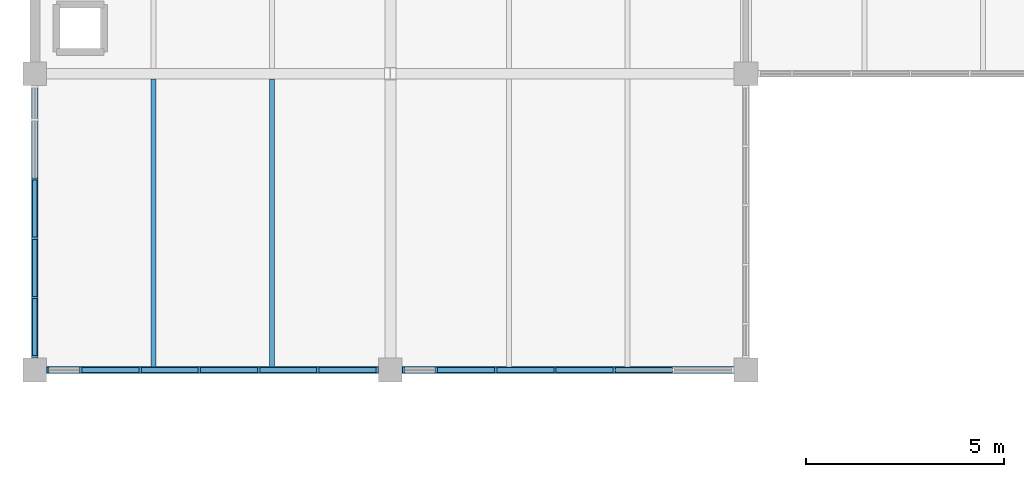
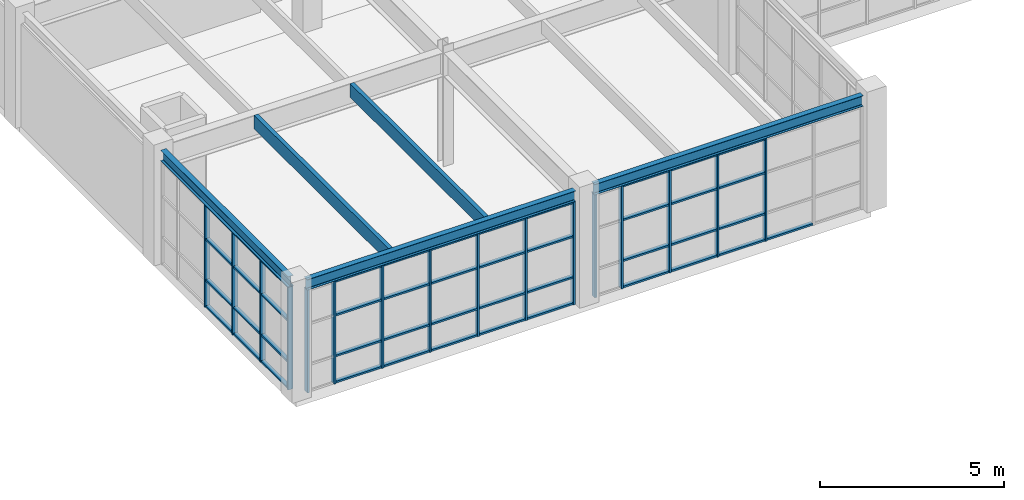
# One storey, part 26 of 76: 61 members, 5 beams, 3 elements without a shape of their own.
"""IFC4 building model written with IfcOpenShell, lengths in metres."""

from ifc_helpers import new_model, si_unit, direction, frame, origin, origin_2d, place, context, subcontext, project, spatial, rectangle, i_section, extrude, material, layer, layer_set, material_profile, profile_set, type_object, element, aggregate, save


model = new_model("IFC4")

# Units and contexts
model_context = context("Model", 3, precision=1e-05, world=origin(), true_north=direction((0.0, 1.0)))
body_context = subcontext(model_context, "Body", "Model", "MODEL_VIEW")
ifc_project = project(units=[si_unit("LENGTHUNIT", "METRE"), si_unit("AREAUNIT", "SQUARE_METRE"), si_unit("VOLUMEUNIT", "CUBIC_METRE"), si_unit("PLANEANGLEUNIT", "RADIAN"), si_unit("MASSUNIT", "GRAM", prefix="KILO")], contexts=[model_context])

# Site, building, storey
site_placement = place(None, origin())
site = spatial("IfcSite", under=ifc_project, at=site_placement, CompositionType="ELEMENT")
building_placement = place(site_placement, origin())
building = spatial("IfcBuilding", under=site, at=building_placement, Name="Marnridge Secondary College", CompositionType="ELEMENT")
storey_placement = place(building_placement, frame((0.0, 0.0, 4.5)))
storey = spatial("IfcBuildingStorey", under=building, at=storey_placement, Name="L01", CompositionType="ELEMENT", Elevation=4.5)

# Beams
ifc_material_1 = material(Name="Engineered timber LVL E13.2", Category="wood")
ifc_material_profile_1 = material_profile(ifc_material_1, rectangle(XDim=0.1259765625, YDim=0.449951171875, at=origin_2d()), Name="LVL 126x450")
ifc_profile_set_1 = profile_set([ifc_material_profile_1], Name="Engineered timber LVL E13.2")
beam_type_1 = type_object("IfcBeamType", Name="BM-LVL450-INT", PredefinedType="JOIST", material=ifc_profile_set_1)
for number, where, z_axis, x_axis, name in (
    (1, (3.0, 75.07958984375, 3.534912109375), (0.0, 1.0, 0.0), (-1.0, 0.0, 0.0), "Beam BJ-L01-0651"),
    (2, (6.0, 75.07958984375, 3.534912109375), (0.0, 1.0, 0.0), (-1.0, 0.0, 0.0), "Beam BJ-L01-0652"),
):
    element("IfcBeam", number, at=place(storey_placement, frame(where, z_axis=z_axis, x_axis=x_axis)), inside=storey, type_object=beam_type_1, Name=name, PredefinedType="JOIST", context=body_context, shape_type="SweptSolid", body=[
        extrude(rectangle(XDim=0.1259765625, YDim=0.449951171875, at=origin_2d()), origin(), (0.0, 0.0, 1.0), 7.288818359375),
    ])
ifc_material_2 = material(Name="Structural steel Grade 350 (AS/NZS 3679.1/.2, fy = 340-360 MPa)", Category="steel")
ifc_material_profile_2 = material_profile(ifc_material_2, i_section(OverallWidth=0.1708984375, OverallDepth=0.35205078125, WebThickness=0.0068359375, FlangeThickness=0.009765625, FilletRadius=0.011474609375, at=origin_2d()), Name="360UB44.7")
ifc_profile_set_2 = profile_set([ifc_material_profile_2], Name="Structural steel Grade 350 (AS/NZS 3679.1/.2, fy = 340-360 MPa)")
beam_type_2 = type_object("IfcBeamType", Name="BM-UB360-EXT", PredefinedType="SPANDREL", material=ifc_profile_set_2)
beam_1_placement = place(storey_placement, frame((0.2939453125, 75.0, 3.583984375), z_axis=(1.0, 0.0, 0.0), x_axis=(0.0, 1.0, 0.0)))
element("IfcBeam", 3, at=beam_1_placement, inside=storey, type_object=beam_type_2, Name="Beam BS-L01-0611", PredefinedType="SPANDREL", context=body_context, shape_type="SweptSolid", body=[
    extrude(i_section(OverallWidth=0.1708984375, OverallDepth=0.35205078125, WebThickness=0.0068359375, FlangeThickness=0.009765625, FilletRadius=0.011474609375, at=origin_2d()), origin(), (0.0, 0.0, 1.0), 8.412109375),
])
beam_2_placement = place(storey_placement, frame((0.0, 75.2939453125, 3.583984375), z_axis=(0.0, 1.0, 0.0), x_axis=(-1.0, 0.0, 0.0)))
element("IfcBeam", 4, at=beam_2_placement, inside=storey, type_object=beam_type_2, Name="Beam BS-L01-0612", PredefinedType="SPANDREL", context=body_context, shape_type="SweptSolid", body=[
    extrude(i_section(OverallWidth=0.1708984375, OverallDepth=0.35205078125, WebThickness=0.0068359375, FlangeThickness=0.009765625, FilletRadius=0.011474609375, at=origin_2d()), origin(), (0.0, 0.0, 1.0), 6.912109375),
])
beam_3_placement = place(storey_placement, frame((9.2939453125, 75.0, 3.583984375), z_axis=(1.0, 0.0, 0.0), x_axis=(0.0, 1.0, 0.0)))
element("IfcBeam", 5, at=beam_3_placement, inside=storey, type_object=beam_type_2, Name="Beam BS-L01-0614", PredefinedType="SPANDREL", context=body_context, shape_type="SweptSolid", body=[
    extrude(i_section(OverallWidth=0.1708984375, OverallDepth=0.35205078125, WebThickness=0.0068359375, FlangeThickness=0.009765625, FilletRadius=0.011474609375, at=origin_2d()), origin(), (0.0, 0.0, 1.0), 8.412109375),
])

# Curtain wall, members
ifc_material_3 = material(Name="Thermally broken aluminium and low-E glazing", Category="aluminium")
ifc_layer = layer(ifc_material_3, 0.159912109375)
ifc_layer_set = layer_set([ifc_layer], Name="CW-MOD-1500")
curtain_wall_type = type_object("IfcCurtainWallType", Name="CW-MOD-1500", PredefinedType="NOTDEFINED", material=ifc_layer_set)
curtain_wall_1_placement = place(storey_placement, origin())
curtain_wall_1 = element("IfcCurtainWall", 6, at=curtain_wall_1_placement, inside=storey, type_object=curtain_wall_type, Name="Unitised curtain wall CW-L01-054", PredefinedType="NOTDEFINED")
ifc_material_4 = material(Name="Anodised aluminium 6063-T6", Category="aluminium")
ifc_material_profile_3 = material_profile(ifc_material_4, rectangle(XDim=0.06005859375, YDim=0.159912109375, at=origin_2d()), Name="ALU 60x160")
ifc_profile_set_3 = profile_set([ifc_material_profile_3], Name="Anodised aluminium 6063-T6")
member_type_1 = type_object("IfcMemberType", Name="CWM-ALU160", PredefinedType="MULLION", material=ifc_profile_set_3)
member_1_placement = place(storey_placement, frame((14.666015625, 75.0, 0.0), z_axis=(0.0, 0.0, 1.0), x_axis=(-1.0, 0.0, 0.0)))
member_1 = element("IfcMember", 7, at=member_1_placement, type_object=member_type_1, Name="CW-L01-054 mullion 3", PredefinedType="MULLION", context=body_context, shape_type="SweptSolid", body=[
    extrude(rectangle(XDim=0.06005859375, YDim=0.159912109375, at=origin_2d()), origin(), (0.0, 0.0, 1.0), 3.39990234375),
])
member_2_placement = place(storey_placement, frame((13.166015625, 75.0, 0.0), z_axis=(0.0, 0.0, 1.0), x_axis=(-1.0, 0.0, 0.0)))
member_2 = element("IfcMember", 8, at=member_2_placement, type_object=member_type_1, Name="CW-L01-054 mullion 4", PredefinedType="MULLION", context=body_context, shape_type="SweptSolid", body=[
    extrude(rectangle(XDim=0.06005859375, YDim=0.159912109375, at=origin_2d()), origin(), (0.0, 0.0, 1.0), 3.39990234375),
])
member_3_placement = place(storey_placement, frame((11.666015625, 75.0, 0.0), z_axis=(0.0, 0.0, 1.0), x_axis=(-1.0, 0.0, 0.0)))
member_3 = element("IfcMember", 9, at=member_3_placement, type_object=member_type_1, Name="CW-L01-054 mullion 5", PredefinedType="MULLION", context=body_context, shape_type="SweptSolid", body=[
    extrude(rectangle(XDim=0.06005859375, YDim=0.159912109375, at=origin_2d()), origin(), (0.0, 0.0, 1.0), 3.39990234375),
])
member_4_placement = place(storey_placement, frame((10.166015625, 75.0, 0.0), z_axis=(0.0, 0.0, 1.0), x_axis=(-1.0, 0.0, 0.0)))
member_4 = element("IfcMember", 10, at=member_4_placement, type_object=member_type_1, Name="CW-L01-054 mullion 6", PredefinedType="MULLION", context=body_context, shape_type="SweptSolid", body=[
    extrude(rectangle(XDim=0.06005859375, YDim=0.159912109375, at=origin_2d()), origin(), (0.0, 0.0, 1.0), 3.39990234375),
])
member_5_placement = place(storey_placement, frame((9.333984375, 75.0, 0.0), z_axis=(0.0, 0.0, 1.0), x_axis=(-1.0, 0.0, 0.0)))
member_5 = element("IfcMember", 11, at=member_5_placement, type_object=member_type_1, Name="CW-L01-054 mullion 7", PredefinedType="MULLION", context=body_context, shape_type="SweptSolid", body=[
    extrude(rectangle(XDim=0.06005859375, YDim=0.159912109375, at=origin_2d()), origin(), (0.0, 0.0, 1.0), 3.39990234375),
])

curtain_wall_2_placement = place(storey_placement, origin())
curtain_wall_2 = element("IfcCurtainWall", 12, at=curtain_wall_2_placement, inside=storey, type_object=curtain_wall_type, Name="Unitised curtain wall CW-L01-055", PredefinedType="NOTDEFINED")
member_6_placement = place(storey_placement, frame((8.666015625, 75.0, 0.0), z_axis=(0.0, 0.0, 1.0), x_axis=(-1.0, 0.0, 0.0)))
member_6 = element("IfcMember", 13, at=member_6_placement, type_object=member_type_1, Name="CW-L01-055 mullion 1", PredefinedType="MULLION", context=body_context, shape_type="SweptSolid", body=[
    extrude(rectangle(XDim=0.06005859375, YDim=0.159912109375, at=origin_2d()), origin(), (0.0, 0.0, 1.0), 3.39990234375),
])
member_7_placement = place(storey_placement, frame((7.166015625, 75.0, 0.0), z_axis=(0.0, 0.0, 1.0), x_axis=(-1.0, 0.0, 0.0)))
member_7 = element("IfcMember", 14, at=member_7_placement, type_object=member_type_1, Name="CW-L01-055 mullion 2", PredefinedType="MULLION", context=body_context, shape_type="SweptSolid", body=[
    extrude(rectangle(XDim=0.06005859375, YDim=0.159912109375, at=origin_2d()), origin(), (0.0, 0.0, 1.0), 3.39990234375),
])
member_8_placement = place(storey_placement, frame((5.666015625, 75.0, 0.0), z_axis=(0.0, 0.0, 1.0), x_axis=(-1.0, 0.0, 0.0)))
member_8 = element("IfcMember", 15, at=member_8_placement, type_object=member_type_1, Name="CW-L01-055 mullion 3", PredefinedType="MULLION", context=body_context, shape_type="SweptSolid", body=[
    extrude(rectangle(XDim=0.06005859375, YDim=0.159912109375, at=origin_2d()), origin(), (0.0, 0.0, 1.0), 3.39990234375),
])
member_9_placement = place(storey_placement, frame((4.166015625, 75.0, 0.0), z_axis=(0.0, 0.0, 1.0), x_axis=(-1.0, 0.0, 0.0)))
member_9 = element("IfcMember", 16, at=member_9_placement, type_object=member_type_1, Name="CW-L01-055 mullion 4", PredefinedType="MULLION", context=body_context, shape_type="SweptSolid", body=[
    extrude(rectangle(XDim=0.06005859375, YDim=0.159912109375, at=origin_2d()), origin(), (0.0, 0.0, 1.0), 3.39990234375),
])
member_10_placement = place(storey_placement, frame((2.666015625, 75.0, 0.0), z_axis=(0.0, 0.0, 1.0), x_axis=(-1.0, 0.0, 0.0)))
member_10 = element("IfcMember", 17, at=member_10_placement, type_object=member_type_1, Name="CW-L01-055 mullion 5", PredefinedType="MULLION", context=body_context, shape_type="SweptSolid", body=[
    extrude(rectangle(XDim=0.06005859375, YDim=0.159912109375, at=origin_2d()), origin(), (0.0, 0.0, 1.0), 3.39990234375),
])
member_11_placement = place(storey_placement, frame((1.166015625, 75.0, 0.0), z_axis=(0.0, 0.0, 1.0), x_axis=(-1.0, 0.0, 0.0)))
member_11 = element("IfcMember", 18, at=member_11_placement, type_object=member_type_1, Name="CW-L01-055 mullion 6", PredefinedType="MULLION", context=body_context, shape_type="SweptSolid", body=[
    extrude(rectangle(XDim=0.06005859375, YDim=0.159912109375, at=origin_2d()), origin(), (0.0, 0.0, 1.0), 3.39990234375),
])
member_12_placement = place(storey_placement, frame((0.333984375, 75.0, 0.0), z_axis=(0.0, 0.0, 1.0), x_axis=(-1.0, 0.0, 0.0)))
member_12 = element("IfcMember", 19, at=member_12_placement, type_object=member_type_1, Name="CW-L01-055 mullion 7", PredefinedType="MULLION", context=body_context, shape_type="SweptSolid", body=[
    extrude(rectangle(XDim=0.06005859375, YDim=0.159912109375, at=origin_2d()), origin(), (0.0, 0.0, 1.0), 3.39990234375),
])

curtain_wall_3_placement = place(storey_placement, origin())
curtain_wall_3 = element("IfcCurtainWall", 20, at=curtain_wall_3_placement, inside=storey, type_object=curtain_wall_type, Name="Unitised curtain wall CW-L01-056", PredefinedType="NOTDEFINED")
member_13_placement = place(storey_placement, frame((0.0, 75.333984375, 0.0), z_axis=(0.0, 0.0, 1.0), x_axis=(0.0, 1.0, 0.0)))
member_13 = element("IfcMember", 21, at=member_13_placement, type_object=member_type_1, Name="CW-L01-056 mullion 1", PredefinedType="MULLION", context=body_context, shape_type="SweptSolid", body=[
    extrude(rectangle(XDim=0.06005859375, YDim=0.159912109375, at=origin_2d()), origin(), (0.0, 0.0, 1.0), 3.39990234375),
])
member_14_placement = place(storey_placement, frame((0.0, 76.833984375, 0.0), z_axis=(0.0, 0.0, 1.0), x_axis=(0.0, 1.0, 0.0)))
member_14 = element("IfcMember", 22, at=member_14_placement, type_object=member_type_1, Name="CW-L01-056 mullion 2", PredefinedType="MULLION", context=body_context, shape_type="SweptSolid", body=[
    extrude(rectangle(XDim=0.06005859375, YDim=0.159912109375, at=origin_2d()), origin(), (0.0, 0.0, 1.0), 3.39990234375),
])
member_15_placement = place(storey_placement, frame((0.0, 78.333984375, 0.0), z_axis=(0.0, 0.0, 1.0), x_axis=(0.0, 1.0, 0.0)))
member_15 = element("IfcMember", 23, at=member_15_placement, type_object=member_type_1, Name="CW-L01-056 mullion 3", PredefinedType="MULLION", context=body_context, shape_type="SweptSolid", body=[
    extrude(rectangle(XDim=0.06005859375, YDim=0.159912109375, at=origin_2d()), origin(), (0.0, 0.0, 1.0), 3.39990234375),
])
member_16_placement = place(storey_placement, frame((0.0, 79.833984375, 0.0), z_axis=(0.0, 0.0, 1.0), x_axis=(0.0, 1.0, 0.0)))
member_16 = element("IfcMember", 24, at=member_16_placement, type_object=member_type_1, Name="CW-L01-056 mullion 4", PredefinedType="MULLION", context=body_context, shape_type="SweptSolid", body=[
    extrude(rectangle(XDim=0.06005859375, YDim=0.159912109375, at=origin_2d()), origin(), (0.0, 0.0, 1.0), 3.39990234375),
])

# Member
ifc_material_5 = material(Name="Anodised aluminium 6063-T6", Category="aluminium")
ifc_material_profile_4 = material_profile(ifc_material_5, rectangle(XDim=0.06005859375, YDim=0.1201171875, at=origin_2d()), Name="ALU 60x120")
ifc_profile_set_4 = profile_set([ifc_material_profile_4], Name="Anodised aluminium 6063-T6")
member_type_2 = type_object("IfcMemberType", Name="CWT-ALU120", PredefinedType="USERDEFINED", material=ifc_profile_set_4)
member_17_placement = place(storey_placement, frame((16.135986328125, 75.0, 0.030029296875), z_axis=(-1.0, 0.0, 0.0), x_axis=(0.0, 0.0, 1.0)))
member_17 = element("IfcMember", 25, at=member_17_placement, type_object=member_type_2, Name="CW-L01-054 transom 2.1", ObjectType="TRANSOM", PredefinedType="USERDEFINED", context=body_context, shape_type="SweptSolid", body=[
    extrude(rectangle(XDim=0.06005859375, YDim=0.1201171875, at=origin_2d()), origin(), (0.0, 0.0, 1.0), 1.43994140625),
])

member_18_placement = place(storey_placement, frame((14.635986328125, 75.0, 0.030029296875), z_axis=(-1.0, 0.0, 0.0), x_axis=(0.0, 0.0, 1.0)))
member_18 = element("IfcMember", 26, at=member_18_placement, type_object=member_type_2, Name="CW-L01-054 transom 3.1", ObjectType="TRANSOM", PredefinedType="USERDEFINED", context=body_context, shape_type="SweptSolid", body=[
    extrude(rectangle(XDim=0.06005859375, YDim=0.1201171875, at=origin_2d()), origin(), (0.0, 0.0, 1.0), 1.43994140625),
])

member_19_placement = place(storey_placement, frame((14.635986328125, 75.0, 0.89990234375), z_axis=(-1.0, 0.0, 0.0), x_axis=(0.0, 0.0, 1.0)))
member_19 = element("IfcMember", 27, at=member_19_placement, type_object=member_type_2, Name="CW-L01-054 transom 3.2", ObjectType="TRANSOM", PredefinedType="USERDEFINED", context=body_context, shape_type="SweptSolid", body=[
    extrude(rectangle(XDim=0.06005859375, YDim=0.1201171875, at=origin_2d()), origin(), (0.0, 0.0, 1.0), 1.43994140625),
])

member_20_placement = place(storey_placement, frame((14.635986328125, 75.0, 2.25), z_axis=(-1.0, 0.0, 0.0), x_axis=(0.0, 0.0, 1.0)))
member_20 = element("IfcMember", 28, at=member_20_placement, type_object=member_type_2, Name="CW-L01-054 transom 3.3", ObjectType="TRANSOM", PredefinedType="USERDEFINED", context=body_context, shape_type="SweptSolid", body=[
    extrude(rectangle(XDim=0.06005859375, YDim=0.1201171875, at=origin_2d()), origin(), (0.0, 0.0, 1.0), 1.43994140625),
])

member_21_placement = place(storey_placement, frame((14.635986328125, 75.0, 3.3701171875), z_axis=(-1.0, 0.0, 0.0), x_axis=(0.0, 0.0, 1.0)))
member_21 = element("IfcMember", 29, at=member_21_placement, type_object=member_type_2, Name="CW-L01-054 transom 3.4", ObjectType="TRANSOM", PredefinedType="USERDEFINED", context=body_context, shape_type="SweptSolid", body=[
    extrude(rectangle(XDim=0.06005859375, YDim=0.1201171875, at=origin_2d()), origin(), (0.0, 0.0, 1.0), 1.43994140625),
])

member_22_placement = place(storey_placement, frame((13.135986328125, 75.0, 0.030029296875), z_axis=(-1.0, 0.0, 0.0), x_axis=(0.0, 0.0, 1.0)))
member_22 = element("IfcMember", 30, at=member_22_placement, type_object=member_type_2, Name="CW-L01-054 transom 4.1", ObjectType="TRANSOM", PredefinedType="USERDEFINED", context=body_context, shape_type="SweptSolid", body=[
    extrude(rectangle(XDim=0.06005859375, YDim=0.1201171875, at=origin_2d()), origin(), (0.0, 0.0, 1.0), 1.43994140625),
])

member_23_placement = place(storey_placement, frame((13.135986328125, 75.0, 0.89990234375), z_axis=(-1.0, 0.0, 0.0), x_axis=(0.0, 0.0, 1.0)))
member_23 = element("IfcMember", 31, at=member_23_placement, type_object=member_type_2, Name="CW-L01-054 transom 4.2", ObjectType="TRANSOM", PredefinedType="USERDEFINED", context=body_context, shape_type="SweptSolid", body=[
    extrude(rectangle(XDim=0.06005859375, YDim=0.1201171875, at=origin_2d()), origin(), (0.0, 0.0, 1.0), 1.43994140625),
])

member_24_placement = place(storey_placement, frame((13.135986328125, 75.0, 2.25), z_axis=(-1.0, 0.0, 0.0), x_axis=(0.0, 0.0, 1.0)))
member_24 = element("IfcMember", 32, at=member_24_placement, type_object=member_type_2, Name="CW-L01-054 transom 4.3", ObjectType="TRANSOM", PredefinedType="USERDEFINED", context=body_context, shape_type="SweptSolid", body=[
    extrude(rectangle(XDim=0.06005859375, YDim=0.1201171875, at=origin_2d()), origin(), (0.0, 0.0, 1.0), 1.43994140625),
])

member_25_placement = place(storey_placement, frame((13.135986328125, 75.0, 3.3701171875), z_axis=(-1.0, 0.0, 0.0), x_axis=(0.0, 0.0, 1.0)))
member_25 = element("IfcMember", 33, at=member_25_placement, type_object=member_type_2, Name="CW-L01-054 transom 4.4", ObjectType="TRANSOM", PredefinedType="USERDEFINED", context=body_context, shape_type="SweptSolid", body=[
    extrude(rectangle(XDim=0.06005859375, YDim=0.1201171875, at=origin_2d()), origin(), (0.0, 0.0, 1.0), 1.43994140625),
])

member_26_placement = place(storey_placement, frame((11.635986328125, 75.0, 0.030029296875), z_axis=(-1.0, 0.0, 0.0), x_axis=(0.0, 0.0, 1.0)))
member_26 = element("IfcMember", 34, at=member_26_placement, type_object=member_type_2, Name="CW-L01-054 transom 5.1", ObjectType="TRANSOM", PredefinedType="USERDEFINED", context=body_context, shape_type="SweptSolid", body=[
    extrude(rectangle(XDim=0.06005859375, YDim=0.1201171875, at=origin_2d()), origin(), (0.0, 0.0, 1.0), 1.43994140625),
])

member_27_placement = place(storey_placement, frame((11.635986328125, 75.0, 0.89990234375), z_axis=(-1.0, 0.0, 0.0), x_axis=(0.0, 0.0, 1.0)))
member_27 = element("IfcMember", 35, at=member_27_placement, type_object=member_type_2, Name="CW-L01-054 transom 5.2", ObjectType="TRANSOM", PredefinedType="USERDEFINED", context=body_context, shape_type="SweptSolid", body=[
    extrude(rectangle(XDim=0.06005859375, YDim=0.1201171875, at=origin_2d()), origin(), (0.0, 0.0, 1.0), 1.43994140625),
])

member_28_placement = place(storey_placement, frame((11.635986328125, 75.0, 2.25), z_axis=(-1.0, 0.0, 0.0), x_axis=(0.0, 0.0, 1.0)))
member_28 = element("IfcMember", 36, at=member_28_placement, type_object=member_type_2, Name="CW-L01-054 transom 5.3", ObjectType="TRANSOM", PredefinedType="USERDEFINED", context=body_context, shape_type="SweptSolid", body=[
    extrude(rectangle(XDim=0.06005859375, YDim=0.1201171875, at=origin_2d()), origin(), (0.0, 0.0, 1.0), 1.43994140625),
])

member_29_placement = place(storey_placement, frame((11.635986328125, 75.0, 3.3701171875), z_axis=(-1.0, 0.0, 0.0), x_axis=(0.0, 0.0, 1.0)))
member_29 = element("IfcMember", 37, at=member_29_placement, type_object=member_type_2, Name="CW-L01-054 transom 5.4", ObjectType="TRANSOM", PredefinedType="USERDEFINED", context=body_context, shape_type="SweptSolid", body=[
    extrude(rectangle(XDim=0.06005859375, YDim=0.1201171875, at=origin_2d()), origin(), (0.0, 0.0, 1.0), 1.43994140625),
])

aggregate(curtain_wall_1, [member_1, member_2, member_3, member_4, member_5, member_17, member_18, member_19, member_20, member_21, member_22, member_23, member_24, member_25, member_26, member_27, member_28, member_29])

member_30_placement = place(storey_placement, frame((8.635986328125, 75.0, 0.030029296875), z_axis=(-1.0, 0.0, 0.0), x_axis=(0.0, 0.0, 1.0)))
member_30 = element("IfcMember", 38, at=member_30_placement, type_object=member_type_2, Name="CW-L01-055 transom 1.1", ObjectType="TRANSOM", PredefinedType="USERDEFINED", context=body_context, shape_type="SweptSolid", body=[
    extrude(rectangle(XDim=0.06005859375, YDim=0.1201171875, at=origin_2d()), origin(), (0.0, 0.0, 1.0), 1.43994140625),
])

member_31_placement = place(storey_placement, frame((8.635986328125, 75.0, 0.89990234375), z_axis=(-1.0, 0.0, 0.0), x_axis=(0.0, 0.0, 1.0)))
member_31 = element("IfcMember", 39, at=member_31_placement, type_object=member_type_2, Name="CW-L01-055 transom 1.2", ObjectType="TRANSOM", PredefinedType="USERDEFINED", context=body_context, shape_type="SweptSolid", body=[
    extrude(rectangle(XDim=0.06005859375, YDim=0.1201171875, at=origin_2d()), origin(), (0.0, 0.0, 1.0), 1.43994140625),
])

member_32_placement = place(storey_placement, frame((8.635986328125, 75.0, 2.25), z_axis=(-1.0, 0.0, 0.0), x_axis=(0.0, 0.0, 1.0)))
member_32 = element("IfcMember", 40, at=member_32_placement, type_object=member_type_2, Name="CW-L01-055 transom 1.3", ObjectType="TRANSOM", PredefinedType="USERDEFINED", context=body_context, shape_type="SweptSolid", body=[
    extrude(rectangle(XDim=0.06005859375, YDim=0.1201171875, at=origin_2d()), origin(), (0.0, 0.0, 1.0), 1.43994140625),
])

member_33_placement = place(storey_placement, frame((8.635986328125, 75.0, 3.3701171875), z_axis=(-1.0, 0.0, 0.0), x_axis=(0.0, 0.0, 1.0)))
member_33 = element("IfcMember", 41, at=member_33_placement, type_object=member_type_2, Name="CW-L01-055 transom 1.4", ObjectType="TRANSOM", PredefinedType="USERDEFINED", context=body_context, shape_type="SweptSolid", body=[
    extrude(rectangle(XDim=0.06005859375, YDim=0.1201171875, at=origin_2d()), origin(), (0.0, 0.0, 1.0), 1.43994140625),
])

member_34_placement = place(storey_placement, frame((7.135986328125, 75.0, 0.030029296875), z_axis=(-1.0, 0.0, 0.0), x_axis=(0.0, 0.0, 1.0)))
member_34 = element("IfcMember", 42, at=member_34_placement, type_object=member_type_2, Name="CW-L01-055 transom 2.1", ObjectType="TRANSOM", PredefinedType="USERDEFINED", context=body_context, shape_type="SweptSolid", body=[
    extrude(rectangle(XDim=0.06005859375, YDim=0.1201171875, at=origin_2d()), origin(), (0.0, 0.0, 1.0), 1.43994140625),
])

member_35_placement = place(storey_placement, frame((7.135986328125, 75.0, 0.89990234375), z_axis=(-1.0, 0.0, 0.0), x_axis=(0.0, 0.0, 1.0)))
member_35 = element("IfcMember", 43, at=member_35_placement, type_object=member_type_2, Name="CW-L01-055 transom 2.2", ObjectType="TRANSOM", PredefinedType="USERDEFINED", context=body_context, shape_type="SweptSolid", body=[
    extrude(rectangle(XDim=0.06005859375, YDim=0.1201171875, at=origin_2d()), origin(), (0.0, 0.0, 1.0), 1.43994140625),
])

member_36_placement = place(storey_placement, frame((7.135986328125, 75.0, 2.25), z_axis=(-1.0, 0.0, 0.0), x_axis=(0.0, 0.0, 1.0)))
member_36 = element("IfcMember", 44, at=member_36_placement, type_object=member_type_2, Name="CW-L01-055 transom 2.3", ObjectType="TRANSOM", PredefinedType="USERDEFINED", context=body_context, shape_type="SweptSolid", body=[
    extrude(rectangle(XDim=0.06005859375, YDim=0.1201171875, at=origin_2d()), origin(), (0.0, 0.0, 1.0), 1.43994140625),
])

member_37_placement = place(storey_placement, frame((7.135986328125, 75.0, 3.3701171875), z_axis=(-1.0, 0.0, 0.0), x_axis=(0.0, 0.0, 1.0)))
member_37 = element("IfcMember", 45, at=member_37_placement, type_object=member_type_2, Name="CW-L01-055 transom 2.4", ObjectType="TRANSOM", PredefinedType="USERDEFINED", context=body_context, shape_type="SweptSolid", body=[
    extrude(rectangle(XDim=0.06005859375, YDim=0.1201171875, at=origin_2d()), origin(), (0.0, 0.0, 1.0), 1.43994140625),
])

member_38_placement = place(storey_placement, frame((5.635986328125, 75.0, 0.030029296875), z_axis=(-1.0, 0.0, 0.0), x_axis=(0.0, 0.0, 1.0)))
member_38 = element("IfcMember", 46, at=member_38_placement, type_object=member_type_2, Name="CW-L01-055 transom 3.1", ObjectType="TRANSOM", PredefinedType="USERDEFINED", context=body_context, shape_type="SweptSolid", body=[
    extrude(rectangle(XDim=0.06005859375, YDim=0.1201171875, at=origin_2d()), origin(), (0.0, 0.0, 1.0), 1.43994140625),
])

member_39_placement = place(storey_placement, frame((5.635986328125, 75.0, 0.89990234375), z_axis=(-1.0, 0.0, 0.0), x_axis=(0.0, 0.0, 1.0)))
member_39 = element("IfcMember", 47, at=member_39_placement, type_object=member_type_2, Name="CW-L01-055 transom 3.2", ObjectType="TRANSOM", PredefinedType="USERDEFINED", context=body_context, shape_type="SweptSolid", body=[
    extrude(rectangle(XDim=0.06005859375, YDim=0.1201171875, at=origin_2d()), origin(), (0.0, 0.0, 1.0), 1.43994140625),
])

member_40_placement = place(storey_placement, frame((5.635986328125, 75.0, 2.25), z_axis=(-1.0, 0.0, 0.0), x_axis=(0.0, 0.0, 1.0)))
member_40 = element("IfcMember", 48, at=member_40_placement, type_object=member_type_2, Name="CW-L01-055 transom 3.3", ObjectType="TRANSOM", PredefinedType="USERDEFINED", context=body_context, shape_type="SweptSolid", body=[
    extrude(rectangle(XDim=0.06005859375, YDim=0.1201171875, at=origin_2d()), origin(), (0.0, 0.0, 1.0), 1.43994140625),
])

member_41_placement = place(storey_placement, frame((5.635986328125, 75.0, 3.3701171875), z_axis=(-1.0, 0.0, 0.0), x_axis=(0.0, 0.0, 1.0)))
member_41 = element("IfcMember", 49, at=member_41_placement, type_object=member_type_2, Name="CW-L01-055 transom 3.4", ObjectType="TRANSOM", PredefinedType="USERDEFINED", context=body_context, shape_type="SweptSolid", body=[
    extrude(rectangle(XDim=0.06005859375, YDim=0.1201171875, at=origin_2d()), origin(), (0.0, 0.0, 1.0), 1.43994140625),
])

member_42_placement = place(storey_placement, frame((4.135986328125, 75.0, 0.030029296875), z_axis=(-1.0, 0.0, 0.0), x_axis=(0.0, 0.0, 1.0)))
member_42 = element("IfcMember", 50, at=member_42_placement, type_object=member_type_2, Name="CW-L01-055 transom 4.1", ObjectType="TRANSOM", PredefinedType="USERDEFINED", context=body_context, shape_type="SweptSolid", body=[
    extrude(rectangle(XDim=0.06005859375, YDim=0.1201171875, at=origin_2d()), origin(), (0.0, 0.0, 1.0), 1.43994140625),
])

member_43_placement = place(storey_placement, frame((4.135986328125, 75.0, 0.89990234375), z_axis=(-1.0, 0.0, 0.0), x_axis=(0.0, 0.0, 1.0)))
member_43 = element("IfcMember", 51, at=member_43_placement, type_object=member_type_2, Name="CW-L01-055 transom 4.2", ObjectType="TRANSOM", PredefinedType="USERDEFINED", context=body_context, shape_type="SweptSolid", body=[
    extrude(rectangle(XDim=0.06005859375, YDim=0.1201171875, at=origin_2d()), origin(), (0.0, 0.0, 1.0), 1.43994140625),
])

member_44_placement = place(storey_placement, frame((4.135986328125, 75.0, 2.25), z_axis=(-1.0, 0.0, 0.0), x_axis=(0.0, 0.0, 1.0)))
member_44 = element("IfcMember", 52, at=member_44_placement, type_object=member_type_2, Name="CW-L01-055 transom 4.3", ObjectType="TRANSOM", PredefinedType="USERDEFINED", context=body_context, shape_type="SweptSolid", body=[
    extrude(rectangle(XDim=0.06005859375, YDim=0.1201171875, at=origin_2d()), origin(), (0.0, 0.0, 1.0), 1.43994140625),
])

member_45_placement = place(storey_placement, frame((4.135986328125, 75.0, 3.3701171875), z_axis=(-1.0, 0.0, 0.0), x_axis=(0.0, 0.0, 1.0)))
member_45 = element("IfcMember", 53, at=member_45_placement, type_object=member_type_2, Name="CW-L01-055 transom 4.4", ObjectType="TRANSOM", PredefinedType="USERDEFINED", context=body_context, shape_type="SweptSolid", body=[
    extrude(rectangle(XDim=0.06005859375, YDim=0.1201171875, at=origin_2d()), origin(), (0.0, 0.0, 1.0), 1.43994140625),
])

member_46_placement = place(storey_placement, frame((2.635986328125, 75.0, 0.030029296875), z_axis=(-1.0, 0.0, 0.0), x_axis=(0.0, 0.0, 1.0)))
member_46 = element("IfcMember", 54, at=member_46_placement, type_object=member_type_2, Name="CW-L01-055 transom 5.1", ObjectType="TRANSOM", PredefinedType="USERDEFINED", context=body_context, shape_type="SweptSolid", body=[
    extrude(rectangle(XDim=0.06005859375, YDim=0.1201171875, at=origin_2d()), origin(), (0.0, 0.0, 1.0), 1.43994140625),
])

member_47_placement = place(storey_placement, frame((2.635986328125, 75.0, 0.89990234375), z_axis=(-1.0, 0.0, 0.0), x_axis=(0.0, 0.0, 1.0)))
member_47 = element("IfcMember", 55, at=member_47_placement, type_object=member_type_2, Name="CW-L01-055 transom 5.2", ObjectType="TRANSOM", PredefinedType="USERDEFINED", context=body_context, shape_type="SweptSolid", body=[
    extrude(rectangle(XDim=0.06005859375, YDim=0.1201171875, at=origin_2d()), origin(), (0.0, 0.0, 1.0), 1.43994140625),
])

member_48_placement = place(storey_placement, frame((2.635986328125, 75.0, 2.25), z_axis=(-1.0, 0.0, 0.0), x_axis=(0.0, 0.0, 1.0)))
member_48 = element("IfcMember", 56, at=member_48_placement, type_object=member_type_2, Name="CW-L01-055 transom 5.3", ObjectType="TRANSOM", PredefinedType="USERDEFINED", context=body_context, shape_type="SweptSolid", body=[
    extrude(rectangle(XDim=0.06005859375, YDim=0.1201171875, at=origin_2d()), origin(), (0.0, 0.0, 1.0), 1.43994140625),
])

member_49_placement = place(storey_placement, frame((2.635986328125, 75.0, 3.3701171875), z_axis=(-1.0, 0.0, 0.0), x_axis=(0.0, 0.0, 1.0)))
member_49 = element("IfcMember", 57, at=member_49_placement, type_object=member_type_2, Name="CW-L01-055 transom 5.4", ObjectType="TRANSOM", PredefinedType="USERDEFINED", context=body_context, shape_type="SweptSolid", body=[
    extrude(rectangle(XDim=0.06005859375, YDim=0.1201171875, at=origin_2d()), origin(), (0.0, 0.0, 1.0), 1.43994140625),
])

aggregate(curtain_wall_2, [member_6, member_7, member_8, member_9, member_10, member_11, member_12, member_30, member_31, member_32, member_33, member_34, member_35, member_36, member_37, member_38, member_39, member_40, member_41, member_42, member_43, member_44, member_45, member_46, member_47, member_48, member_49])

member_50_placement = place(storey_placement, frame((0.0, 75.364013671875, 0.030029296875), z_axis=(0.0, 1.0, 0.0), x_axis=(0.0, 0.0, 1.0)))
member_50 = element("IfcMember", 58, at=member_50_placement, type_object=member_type_2, Name="CW-L01-056 transom 1.1", ObjectType="TRANSOM", PredefinedType="USERDEFINED", context=body_context, shape_type="SweptSolid", body=[
    extrude(rectangle(XDim=0.06005859375, YDim=0.1201171875, at=origin_2d()), origin(), (0.0, 0.0, 1.0), 1.43994140625),
])

member_51_placement = place(storey_placement, frame((0.0, 75.364013671875, 0.89990234375), z_axis=(0.0, 1.0, 0.0), x_axis=(0.0, 0.0, 1.0)))
member_51 = element("IfcMember", 59, at=member_51_placement, type_object=member_type_2, Name="CW-L01-056 transom 1.2", ObjectType="TRANSOM", PredefinedType="USERDEFINED", context=body_context, shape_type="SweptSolid", body=[
    extrude(rectangle(XDim=0.06005859375, YDim=0.1201171875, at=origin_2d()), origin(), (0.0, 0.0, 1.0), 1.43994140625),
])

member_52_placement = place(storey_placement, frame((0.0, 75.364013671875, 2.25), z_axis=(0.0, 1.0, 0.0), x_axis=(0.0, 0.0, 1.0)))
member_52 = element("IfcMember", 60, at=member_52_placement, type_object=member_type_2, Name="CW-L01-056 transom 1.3", ObjectType="TRANSOM", PredefinedType="USERDEFINED", context=body_context, shape_type="SweptSolid", body=[
    extrude(rectangle(XDim=0.06005859375, YDim=0.1201171875, at=origin_2d()), origin(), (0.0, 0.0, 1.0), 1.43994140625),
])

member_53_placement = place(storey_placement, frame((0.0, 75.364013671875, 3.3701171875), z_axis=(0.0, 1.0, 0.0), x_axis=(0.0, 0.0, 1.0)))
member_53 = element("IfcMember", 61, at=member_53_placement, type_object=member_type_2, Name="CW-L01-056 transom 1.4", ObjectType="TRANSOM", PredefinedType="USERDEFINED", context=body_context, shape_type="SweptSolid", body=[
    extrude(rectangle(XDim=0.06005859375, YDim=0.1201171875, at=origin_2d()), origin(), (0.0, 0.0, 1.0), 1.43994140625),
])

member_54_placement = place(storey_placement, frame((0.0, 76.864013671875, 0.030029296875), z_axis=(0.0, 1.0, 0.0), x_axis=(0.0, 0.0, 1.0)))
member_54 = element("IfcMember", 62, at=member_54_placement, type_object=member_type_2, Name="CW-L01-056 transom 2.1", ObjectType="TRANSOM", PredefinedType="USERDEFINED", context=body_context, shape_type="SweptSolid", body=[
    extrude(rectangle(XDim=0.06005859375, YDim=0.1201171875, at=origin_2d()), origin(), (0.0, 0.0, 1.0), 1.43994140625),
])

member_55_placement = place(storey_placement, frame((0.0, 76.864013671875, 0.89990234375), z_axis=(0.0, 1.0, 0.0), x_axis=(0.0, 0.0, 1.0)))
member_55 = element("IfcMember", 63, at=member_55_placement, type_object=member_type_2, Name="CW-L01-056 transom 2.2", ObjectType="TRANSOM", PredefinedType="USERDEFINED", context=body_context, shape_type="SweptSolid", body=[
    extrude(rectangle(XDim=0.06005859375, YDim=0.1201171875, at=origin_2d()), origin(), (0.0, 0.0, 1.0), 1.43994140625),
])

member_56_placement = place(storey_placement, frame((0.0, 76.864013671875, 2.25), z_axis=(0.0, 1.0, 0.0), x_axis=(0.0, 0.0, 1.0)))
member_56 = element("IfcMember", 64, at=member_56_placement, type_object=member_type_2, Name="CW-L01-056 transom 2.3", ObjectType="TRANSOM", PredefinedType="USERDEFINED", context=body_context, shape_type="SweptSolid", body=[
    extrude(rectangle(XDim=0.06005859375, YDim=0.1201171875, at=origin_2d()), origin(), (0.0, 0.0, 1.0), 1.43994140625),
])

member_57_placement = place(storey_placement, frame((0.0, 76.864013671875, 3.3701171875), z_axis=(0.0, 1.0, 0.0), x_axis=(0.0, 0.0, 1.0)))
member_57 = element("IfcMember", 65, at=member_57_placement, type_object=member_type_2, Name="CW-L01-056 transom 2.4", ObjectType="TRANSOM", PredefinedType="USERDEFINED", context=body_context, shape_type="SweptSolid", body=[
    extrude(rectangle(XDim=0.06005859375, YDim=0.1201171875, at=origin_2d()), origin(), (0.0, 0.0, 1.0), 1.43994140625),
])

member_58_placement = place(storey_placement, frame((0.0, 78.364013671875, 0.030029296875), z_axis=(0.0, 1.0, 0.0), x_axis=(0.0, 0.0, 1.0)))
member_58 = element("IfcMember", 66, at=member_58_placement, type_object=member_type_2, Name="CW-L01-056 transom 3.1", ObjectType="TRANSOM", PredefinedType="USERDEFINED", context=body_context, shape_type="SweptSolid", body=[
    extrude(rectangle(XDim=0.06005859375, YDim=0.1201171875, at=origin_2d()), origin(), (0.0, 0.0, 1.0), 1.43994140625),
])

member_59_placement = place(storey_placement, frame((0.0, 78.364013671875, 0.89990234375), z_axis=(0.0, 1.0, 0.0), x_axis=(0.0, 0.0, 1.0)))
member_59 = element("IfcMember", 67, at=member_59_placement, type_object=member_type_2, Name="CW-L01-056 transom 3.2", ObjectType="TRANSOM", PredefinedType="USERDEFINED", context=body_context, shape_type="SweptSolid", body=[
    extrude(rectangle(XDim=0.06005859375, YDim=0.1201171875, at=origin_2d()), origin(), (0.0, 0.0, 1.0), 1.43994140625),
])

member_60_placement = place(storey_placement, frame((0.0, 78.364013671875, 2.25), z_axis=(0.0, 1.0, 0.0), x_axis=(0.0, 0.0, 1.0)))
member_60 = element("IfcMember", 68, at=member_60_placement, type_object=member_type_2, Name="CW-L01-056 transom 3.3", ObjectType="TRANSOM", PredefinedType="USERDEFINED", context=body_context, shape_type="SweptSolid", body=[
    extrude(rectangle(XDim=0.06005859375, YDim=0.1201171875, at=origin_2d()), origin(), (0.0, 0.0, 1.0), 1.43994140625),
])

member_61_placement = place(storey_placement, frame((0.0, 78.364013671875, 3.3701171875), z_axis=(0.0, 1.0, 0.0), x_axis=(0.0, 0.0, 1.0)))
member_61 = element("IfcMember", 69, at=member_61_placement, type_object=member_type_2, Name="CW-L01-056 transom 3.4", ObjectType="TRANSOM", PredefinedType="USERDEFINED", context=body_context, shape_type="SweptSolid", body=[
    extrude(rectangle(XDim=0.06005859375, YDim=0.1201171875, at=origin_2d()), origin(), (0.0, 0.0, 1.0), 1.43994140625),
])

aggregate(curtain_wall_3, [member_13, member_14, member_15, member_16, member_50, member_51, member_52, member_53, member_54, member_55, member_56, member_57, member_58, member_59, member_60, member_61])

save(model, "model.ifc")
